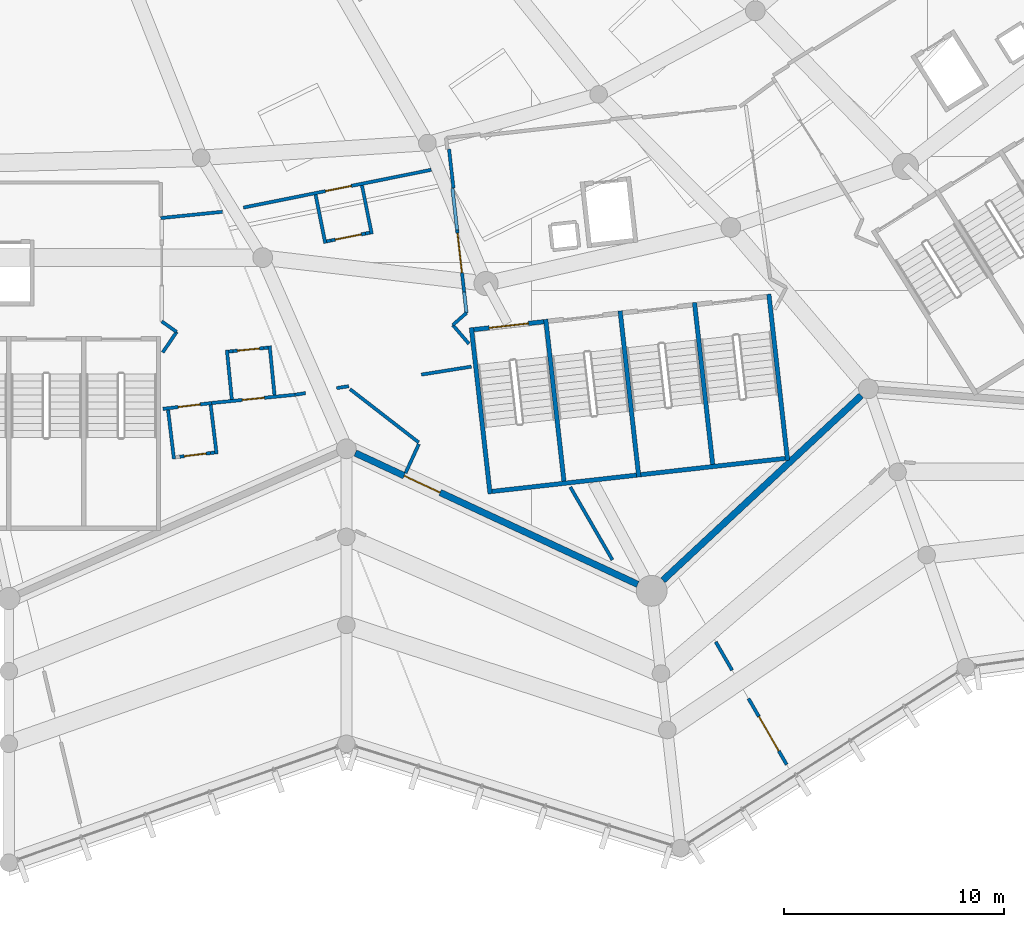
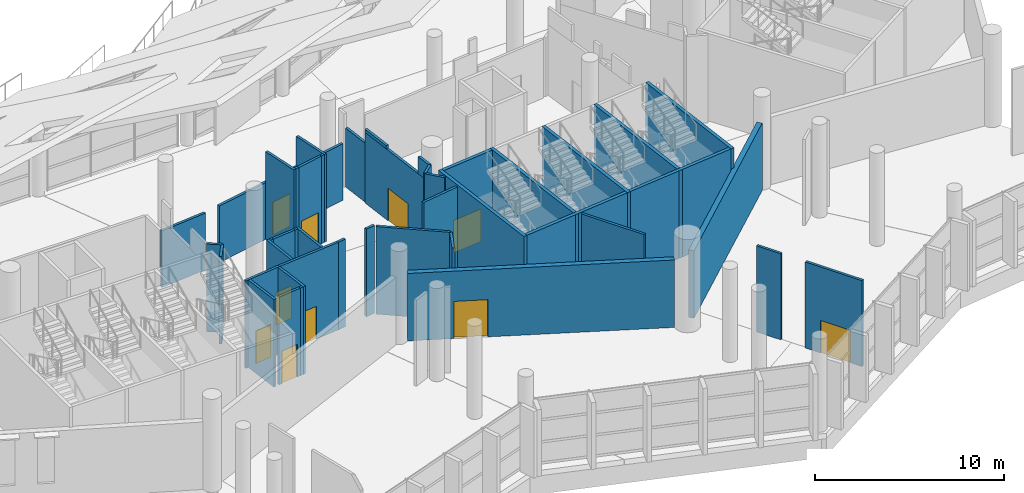
# One storey, part 149 of 249: 44 walls, 10 doors, 10 openings.
"""IFC4 building model written with IfcOpenShell, lengths in metres."""

from ifc_helpers import new_model, si_unit, direction, frame, frame_2d, origin, place, context, subcontext, project, spatial, rectangle, extrude, material, layer, layer_set, type_object, element, fill, save


model = new_model("IFC4")

# Units and contexts
model_context = context("Model", 3, precision=1e-05, world=origin(), true_north=direction((0.0, 1.0)))
body_context = subcontext(model_context, "Body", "Model", "MODEL_VIEW")
ifc_project = project(units=[si_unit("LENGTHUNIT", "METRE"), si_unit("AREAUNIT", "SQUARE_METRE"), si_unit("VOLUMEUNIT", "CUBIC_METRE"), si_unit("PLANEANGLEUNIT", "RADIAN"), si_unit("MASSUNIT", "GRAM", prefix="KILO")], contexts=[model_context])

# Site, building, storey
site_placement = place(None, origin())
site = spatial("IfcSite", under=ifc_project, at=site_placement, CompositionType="ELEMENT")
building_placement = place(site_placement, origin())
building = spatial("IfcBuilding", under=site, at=building_placement, Name="Meseta Stadium", CompositionType="ELEMENT")
storey_placement = place(building_placement, frame((0.0, 0.0, 12.0)))
storey = spatial("IfcBuildingStorey", under=building, at=storey_placement, Name="L02", CompositionType="ELEMENT", Elevation=12.0)

# Walls
ifc_material_1 = material(Name="Concrete C40/50", Category="concrete")
ifc_layer_1 = layer(ifc_material_1, 0.199951171875)
ifc_layer_set_1 = layer_set([ifc_layer_1], Name="Core divider wall 200")
wall_type_1 = type_object("IfcWallType", Name="Core divider wall 200", PredefinedType="SHEAR", material=ifc_layer_set_1)
wall_1_placement = place(storey_placement, frame((48.241943359375, -100.264892578125, 0.0), z_axis=(0.0, 0.0, 1.0), x_axis=(-0.111954577255, 0.993713325176, 0.0)))
element("IfcWall", 1, at=wall_1_placement, inside=storey, type_object=wall_type_1, Name="Core 26 L02 stair A divider wall", PredefinedType="SHEAR", context=body_context, shape_type="SweptSolid", body=[
    extrude(rectangle(XDim=7.599853515625, YDim=0.199951171875, at=frame_2d((3.7998046875, 0.0))), origin(), (0.0, 0.0, 1.0), 5.64990234375),
])
wall_2_placement = place(storey_placement, frame((54.999267578125, -99.503662109375, 0.0), z_axis=(0.0, 0.0, 1.0), x_axis=(-0.111982724367, 0.993710153638, 0.0)))
element("IfcWall", 2, at=wall_2_placement, inside=storey, type_object=wall_type_1, Name="Core 26 L02 stair B divider wall", PredefinedType="SHEAR", context=body_context, shape_type="SweptSolid", body=[
    extrude(rectangle(XDim=7.60009765625, YDim=0.199951171875, at=frame_2d((3.800048828125, 0.0))), origin(), (0.0, 0.0, 1.0), 5.64990234375),
])
ifc_material_2 = material(Name="Concrete C40/50", Category="concrete")
ifc_layer_2 = layer(ifc_material_2, 0.199951171875)
ifc_layer_set_2 = layer_set([ifc_layer_2], Name="Core shaft wall 200")
wall_type_2 = type_object("IfcWallType", Name="Core shaft wall 200", PredefinedType="SHEAR", material=ifc_layer_set_2)
wall_3_placement = place(storey_placement, frame((44.86328125, -100.645751953125, 0.0), z_axis=(0.0, 0.0, 1.0), x_axis=(-0.111951003472, 0.993713727802, 0.0)))
element("IfcWall", 3, at=wall_3_placement, inside=storey, type_object=wall_type_2, Name="Core 26 L02 stair wall A-side", PredefinedType="SHEAR", context=body_context, shape_type="SweptSolid", body=[
    extrude(rectangle(XDim=7.60009765625, YDim=0.199951171875, at=frame_2d((3.800048828125, 0.0))), origin(), (0.0, 0.0, 1.0), 5.64990234375),
])
wall_4_placement = place(storey_placement, frame((51.62060546875, -99.884521484375, 0.0), z_axis=(0.0, 0.0, 1.0), x_axis=(-0.111947429915, 0.993714130389, 0.0)))
element("IfcWall", 4, at=wall_4_placement, inside=storey, type_object=wall_type_2, Name="Core 26 L02 stair wall shared", PredefinedType="SHEAR", context=body_context, shape_type="SweptSolid", body=[
    extrude(rectangle(XDim=7.600341796875, YDim=0.199951171875, at=frame_2d((3.80029296875, 0.0))), origin(), (0.0, 0.0, 1.0), 5.64990234375),
])
wall_5_placement = place(storey_placement, frame((58.3779296875, -99.123046875, 0.0), z_axis=(0.0, 0.0, 1.0), x_axis=(-0.111982724367, 0.993710153638, 0.0)))
element("IfcWall", 5, at=wall_5_placement, inside=storey, type_object=wall_type_2, Name="Core 26 L02 stair wall B-side", PredefinedType="SHEAR", context=body_context, shape_type="SweptSolid", body=[
    extrude(rectangle(XDim=7.60009765625, YDim=0.199951171875, at=frame_2d((3.800048828125, 0.0))), origin(), (0.0, 0.0, 1.0), 5.64990234375),
])
for number, where, z_axis, x_axis, name in (
    (6, (44.951416015625, -100.53515625, 0.0), (0.0, 0.0, 1.0), (0.993711575492, 0.111970106426, 0.0), "Core 26 L02 stair A outer end wall"),
    (7, (51.708740234375, -99.773681640625, 0.0), (0.0, 0.0, 1.0), (0.993715690617, 0.111933579504, 0.0), "Core 26 L02 stair B outer end wall"),
):
    element("IfcWall", number, at=place(storey_placement, frame(where, z_axis=z_axis, x_axis=x_axis)), inside=storey, type_object=wall_type_2, Name=name, PredefinedType="SHEAR", context=body_context, shape_type="SweptSolid", body=[
        extrude(rectangle(XDim=6.60009765625, YDim=0.199951171875, at=frame_2d((3.300048828125, 0.0))), origin(), (0.0, 0.0, 1.0), 5.64990234375),
    ])

# Wall, opening, door
wall_6_placement = place(storey_placement, frame((44.123046875, -93.181640625, 0.0), z_axis=(0.0, 0.0, 1.0), x_axis=(0.993717005286, 0.11192190762, 0.0)))
wall_6 = element("IfcWall", 8, at=wall_6_placement, inside=storey, type_object=wall_type_2, Name="Core 26 L02 stair A1 inner end wall", PredefinedType="SHEAR", context=body_context, shape_type="SweptSolid", body=[
    extrude(rectangle(XDim=3.199951171875, YDim=0.199951171875, at=frame_2d((1.60009765625, 0.0))), origin(), (0.0, 0.0, 1.0), 5.64990234375),
])
opening_1_placement = place(wall_6_placement, frame((0.699951171875, 0.0, 0.0)))
opening_1 = element("IfcOpeningElement", 9, at=opening_1_placement, cuts=wall_6, Name="Opening D1151", PredefinedType="OPENING", context=body_context, shape_type="SweptSolid", body=[
    extrude(rectangle(XDim=1.800048828125, YDim=2.10009765625, at=frame_2d((0.89990234375, 1.050048828125))), frame((0.0, 0.10986328125, 0.0), z_axis=(0.0, -1.0, 0.0), x_axis=(1.0, 0.0, 0.0)), (0.0, 0.0, 1.0), 0.219970703125),
])
ifc_material_3 = material(Name="Steel", Category="steel")
door_type_1 = type_object("IfcDoorType", Name="Stair door 1800x2100", OperationType="DOUBLE_DOOR_SINGLE_SWING", PredefinedType="DOOR", material=ifc_material_3)
door_1_placement = place(opening_1_placement, origin())
door_1 = element("IfcDoor", 10, at=door_1_placement, inside=storey, type_object=door_type_1, Name="Stair A1 door 26 L02", OperationType="DOUBLE_DOOR_SINGLE_SWING", OverallHeight=2.10009765625, OverallWidth=1.800048828125, PredefinedType="DOOR", context=body_context, shape_type="SweptSolid", body=[
    extrude(rectangle(XDim=1.800048828125, YDim=2.10009765625, at=frame_2d((0.89990234375, 1.050048828125))), frame((0.0, 0.02490234375, 0.0), z_axis=(0.0, -1.0, 0.0), x_axis=(1.0, 0.0, 0.0)), (0.0, 0.0, 1.0), 0.050048828125),
])
fill(opening_1, door_1)

ifc_material_4 = material(Name="Masonry blockwork", Category="masonry")
ifc_layer_3 = layer(ifc_material_4, 0.14990234375)
ifc_layer_set_3 = layer_set([ifc_layer_3], Name="Partition 150")
wall_type_3 = type_object("IfcWallType", Name="Partition 150", PredefinedType="PARTITIONING", material=ifc_layer_set_3)
wall_7_placement = place(storey_placement, frame((42.189208984375, -85.923095703125, 0.0), z_axis=(0.0, 0.0, 1.0), x_axis=(-0.980362096197, -0.197205883129, 0.0)))
wall_7 = element("IfcWall", 11, at=wall_7_placement, inside=storey, type_object=wall_type_3, Name="Partition L02 L02-cell24-0-0", PredefinedType="PARTITIONING", context=body_context, shape_type="SweptSolid", body=[
    extrude(rectangle(XDim=8.701904296875, YDim=0.14990234375, at=frame_2d((4.35107421875, 0.0))), origin(), (0.0, 0.0, 1.0), 3.655029296875),
])
opening_2_placement = place(wall_7_placement, frame((3.699951171875, 0.0, 0.0)))
opening_2 = element("IfcOpeningElement", 12, at=opening_2_placement, cuts=wall_7, Name="Opening D1143", PredefinedType="OPENING", context=body_context, shape_type="SweptSolid", body=[
    extrude(rectangle(XDim=1.199951171875, YDim=2.10009765625, at=frame_2d((0.60009765625, 1.050048828125))), frame((0.0, 0.0849609375, 0.0), z_axis=(0.0, -1.0, 0.0), x_axis=(1.0, 0.0, 0.0)), (0.0, 0.0, 1.0), 0.169921875),
])
ifc_material_5 = material(Name="Steel", Category="steel")
door_type_2 = type_object("IfcDoorType", Name="Fire door 1200x2100 EI2 60", OperationType="NOTDEFINED", PredefinedType="DOOR", material=ifc_material_5)
door_2_placement = place(opening_2_placement, origin())
door_2 = element("IfcDoor", 13, at=door_2_placement, inside=storey, type_object=door_type_2, Name="Room door L02 L02-cell24-0-0", OperationType="SINGLE_SWING_LEFT", OverallHeight=2.10009765625, OverallWidth=1.199951171875, PredefinedType="DOOR", context=body_context, shape_type="SweptSolid", body=[
    extrude(rectangle(XDim=1.199951171875, YDim=2.10009765625, at=frame_2d((0.60009765625, 1.050048828125))), frame((0.0, 0.02490234375, 0.0), z_axis=(0.0, -1.0, 0.0), x_axis=(1.0, 0.0, 0.0)), (0.0, 0.0, 1.0), 0.050048828125),
])
fill(opening_2, door_2)

# Wall
wall_8_placement = place(storey_placement, frame((32.710205078125, -87.82958984375, 0.0), z_axis=(0.0, 0.0, 1.0), x_axis=(-0.994882835279, -0.101035360476, 0.0)))
element("IfcWall", 14, at=wall_8_placement, inside=storey, type_object=wall_type_3, Name="Partition L02 L02-cell24-0-0", PredefinedType="PARTITIONING", context=body_context, shape_type="SweptSolid", body=[
    extrude(rectangle(XDim=2.82470703125, YDim=0.14990234375, at=frame_2d((1.412353515625, 0.0))), origin(), (0.0, 0.0, 1.0), 3.655029296875),
])

# Wall, opening, door
wall_9_placement = place(storey_placement, frame((30.0, -96.783447265625, 0.0), z_axis=(0.0, 0.0, 1.0), x_axis=(0.992839520799, 0.119455790735, 0.0)))
wall_9 = element("IfcWall", 15, at=wall_9_placement, inside=storey, type_object=wall_type_3, Name="Partition L02 L02-cell24-2-0", PredefinedType="PARTITIONING", context=body_context, shape_type="SweptSolid", body=[
    extrude(rectangle(XDim=2.231689453125, YDim=0.14990234375, at=frame_2d((1.11572265625, 0.0))), origin(), (0.0, 0.0, 1.0), 5.64990234375),
])
opening_3_placement = place(wall_9_placement, frame((0.699951171875, 0.0, 0.0)))
opening_3 = element("IfcOpeningElement", 16, at=opening_3_placement, cuts=wall_9, Name="Opening D1136", PredefinedType="OPENING", context=body_context, shape_type="SweptSolid", body=[
    extrude(rectangle(XDim=1.0, YDim=2.10009765625, at=frame_2d((0.5, 1.050048828125))), frame((0.0, 0.0849609375, 0.0), z_axis=(0.0, -1.0, 0.0), x_axis=(1.0, 0.0, 0.0)), (0.0, 0.0, 1.0), 0.169921875),
])
ifc_material_6 = material(Name="Steel", Category="steel")
door_type_3 = type_object("IfcDoorType", Name="Fire door 1000x2100 EI2 60", OperationType="NOTDEFINED", PredefinedType="DOOR", material=ifc_material_6)
door_3_placement = place(opening_3_placement, origin())
door_3 = element("IfcDoor", 17, at=door_3_placement, inside=storey, type_object=door_type_3, Name="Room door L02 L02-cell24-2-0", OperationType="SINGLE_SWING_RIGHT", OverallHeight=2.10009765625, OverallWidth=1.0, PredefinedType="DOOR", context=body_context, shape_type="SweptSolid", body=[
    extrude(rectangle(XDim=1.0, YDim=2.10009765625, at=frame_2d((0.5, 1.050048828125))), frame((0.0, 0.02490234375, 0.0), z_axis=(0.0, -1.0, 0.0), x_axis=(1.0, 0.0, 0.0)), (0.0, 0.0, 1.0), 0.050048828125),
])
fill(opening_3, door_3)

wall_10_placement = place(storey_placement, frame((32.2158203125, -96.516845703125, 0.0), z_axis=(0.0, 0.0, 1.0), x_axis=(0.995135010831, 0.098520608089, 0.0)))
wall_10 = element("IfcWall", 18, at=wall_10_placement, inside=storey, type_object=wall_type_3, Name="Partition L02 L02-cell24-2-0", PredefinedType="PARTITIONING", context=body_context, shape_type="SweptSolid", body=[
    extrude(rectangle(XDim=3.811279296875, YDim=0.14990234375, at=frame_2d((1.90576171875, 0.0))), origin(), (0.0, 0.0, 1.0), 5.64990234375),
])
opening_4_placement = place(wall_10_placement, frame((1.39990234375, 0.0, 0.0)))
opening_4 = element("IfcOpeningElement", 19, at=opening_4_placement, cuts=wall_10, Name="Opening D1141", PredefinedType="OPENING", context=body_context, shape_type="SweptSolid", body=[
    extrude(rectangle(XDim=1.0, YDim=2.10009765625, at=frame_2d((0.5, 1.050048828125))), frame((0.0, 0.0849609375, 0.0), z_axis=(0.0, -1.0, 0.0), x_axis=(1.0, 0.0, 0.0)), (0.0, 0.0, 1.0), 0.169921875),
])
door_4_placement = place(opening_4_placement, origin())
door_4 = element("IfcDoor", 20, at=door_4_placement, inside=storey, type_object=door_type_3, Name="Room door L02 L02-cell24-2-0", OperationType="SINGLE_SWING_RIGHT", OverallHeight=2.10009765625, OverallWidth=1.0, PredefinedType="DOOR", context=body_context, shape_type="SweptSolid", body=[
    extrude(rectangle(XDim=1.0, YDim=2.10009765625, at=frame_2d((0.5, 1.050048828125))), frame((0.0, 0.02490234375, 0.0), z_axis=(0.0, -1.0, 0.0), x_axis=(1.0, 0.0, 0.0)), (0.0, 0.0, 1.0), 0.050048828125),
])
fill(opening_4, door_4)

# Walls
wall_11_placement = place(storey_placement, frame((36.008544921875, -96.141357421875, 0.0), z_axis=(0.0, 0.0, 1.0), x_axis=(0.987478956235, 0.157750787614, 0.0)))
element("IfcWall", 21, at=wall_11_placement, inside=storey, type_object=wall_type_3, Name="Partition L02 L02-cell24-2-0", PredefinedType="PARTITIONING", context=body_context, shape_type="SweptSolid", body=[
    extrude(rectangle(XDim=0.4765625, YDim=0.14990234375, at=frame_2d((0.23828125, 0.0))), origin(), (0.0, 0.0, 1.0), 5.64990234375),
])
wall_12_placement = place(storey_placement, frame((37.891357421875, -95.841064453125, 0.0), z_axis=(0.0, 0.0, 1.0), x_axis=(0.987546472481, 0.1573275713, 0.0)))
element("IfcWall", 22, at=wall_12_placement, inside=storey, type_object=wall_type_3, Name="Partition L02 L02-cell24-2-0", PredefinedType="PARTITIONING", context=body_context, shape_type="SweptSolid", body=[
    extrude(rectangle(XDim=0.560302734375, YDim=0.14990234375, at=frame_2d((0.2802734375, 0.0))), origin(), (0.0, 0.0, 1.0), 5.64990234375),
])
wall_13_placement = place(storey_placement, frame((48.508056640625, -100.335693359375, 0.0), z_axis=(0.0, 0.0, 1.0), x_axis=(0.500439359674, -0.865771590715, 0.0)))
element("IfcWall", 23, at=wall_13_placement, inside=storey, type_object=wall_type_3, Name="Partition L02 L02-cell24-2-0", PredefinedType="PARTITIONING", context=body_context, shape_type="SweptSolid", body=[
    extrude(rectangle(XDim=3.82177734375, YDim=0.14990234375, at=frame_2d((1.910888671875, 0.0))), origin(), (0.0, 0.0, 1.0), 5.64990234375),
])
wall_14_placement = place(storey_placement, frame((42.998291015625, -84.985595703125, 0.0), z_axis=(0.0, 0.0, 1.0), x_axis=(0.111954160668, -0.993713372109, 0.0)))
element("IfcWall", 24, at=wall_14_placement, inside=storey, type_object=wall_type_3, Name="Partition L02 L02-cell25-0-0", PredefinedType="PARTITIONING", context=body_context, shape_type="SweptSolid", body=[
    extrude(rectangle(XDim=1.77734375, YDim=0.14990234375, at=frame_2d((0.888671875, 0.0))), origin(), (0.0, 0.0, 1.0), 3.800537109375),
])
wall_15_placement = place(storey_placement, frame((55.115478515625, -107.370849609375, 0.0), z_axis=(0.0, 0.0, 1.0), x_axis=(0.500504874148, -0.865733718272, 0.0)))
element("IfcWall", 25, at=wall_15_placement, inside=storey, type_object=wall_type_3, Name="Partition L02 L02-ring24-0", PredefinedType="PARTITIONING", context=body_context, shape_type="SweptSolid", body=[
    extrude(rectangle(XDim=1.4853515625, YDim=0.14990234375, at=frame_2d((0.74267578125, 0.0))), origin(), (0.0, 0.0, 1.0), 5.550048828125),
])

# Wall, opening, door
wall_16_placement = place(storey_placement, frame((56.602294921875, -109.942626953125, 0.0), z_axis=(0.0, 0.0, 1.0), x_axis=(0.500389094417, -0.865800643444, 0.0)))
wall_16 = element("IfcWall", 26, at=wall_16_placement, inside=storey, type_object=wall_type_3, Name="Partition L02 L02-ring24-0", PredefinedType="PARTITIONING", context=body_context, shape_type="SweptSolid", body=[
    extrude(rectangle(XDim=3.465576171875, YDim=0.14990234375, at=frame_2d((1.73291015625, 0.0))), origin(), (0.0, 0.0, 1.0), 5.550048828125),
])
opening_5_placement = place(wall_16_placement, frame((0.949951171875, 0.0, 0.0)))
opening_5 = element("IfcOpeningElement", 27, at=opening_5_placement, cuts=wall_16, Name="Opening D1167", PredefinedType="OPENING", context=body_context, shape_type="SweptSolid", body=[
    extrude(rectangle(XDim=1.800048828125, YDim=2.10009765625, at=frame_2d((0.89990234375, 1.050048828125))), frame((0.0, 0.0849609375, 0.0), z_axis=(0.0, -1.0, 0.0), x_axis=(1.0, 0.0, 0.0)), (0.0, 0.0, 1.0), 0.169921875),
])
ifc_material_7 = material(Name="Steel", Category="steel")
door_type_4 = type_object("IfcDoorType", Name="Fire double door 1800x2100 EI2 60", OperationType="DOUBLE_DOOR_SINGLE_SWING", PredefinedType="DOOR", material=ifc_material_7)
door_5_placement = place(opening_5_placement, origin())
door_5 = element("IfcDoor", 28, at=door_5_placement, inside=storey, type_object=door_type_4, Name="Room door L02 L02-ring24-0", OperationType="DOUBLE_DOOR_SINGLE_SWING", OverallHeight=2.10009765625, OverallWidth=1.800048828125, PredefinedType="DOOR", context=body_context, shape_type="SweptSolid", body=[
    extrude(rectangle(XDim=1.800048828125, YDim=2.10009765625, at=frame_2d((0.89990234375, 1.050048828125))), frame((0.0, 0.02490234375, 0.0), z_axis=(0.0, -1.0, 0.0), x_axis=(1.0, 0.0, 0.0)), (0.0, 0.0, 1.0), 0.050048828125),
])
fill(opening_5, door_5)

# Walls
wall_17_placement = place(storey_placement, frame((38.497802734375, -95.88623046875, 0.0), z_axis=(0.0, 0.0, 1.0), x_axis=(0.790219801195, -0.612823519294, 0.0)))
element("IfcWall", 29, at=wall_17_placement, inside=storey, type_object=wall_type_3, Name="Partition L02 cell24-2-0 link", PredefinedType="PARTITIONING", context=body_context, shape_type="SweptSolid", body=[
    extrude(rectangle(XDim=3.951171875, YDim=0.14990234375, at=frame_2d((1.9755859375, 0.0))), origin(), (0.0, 0.0, 1.0), 5.64990234375),
])
wall_18_placement = place(storey_placement, frame((41.627197265625, -98.3828125, 0.0), z_axis=(0.0, 0.0, 1.0), x_axis=(-0.418008717052, -0.908443015532, 0.0)))
element("IfcWall", 30, at=wall_18_placement, inside=storey, type_object=wall_type_3, Name="Partition L02 cell24-2-0 link", PredefinedType="PARTITIONING", context=body_context, shape_type="SweptSolid", body=[
    extrude(rectangle(XDim=1.446044921875, YDim=0.14990234375, at=frame_2d((0.72314453125, 0.0))), origin(), (0.0, 0.0, 1.0), 5.64990234375),
])
wall_19_placement = place(storey_placement, frame((41.739013671875, -95.2275390625, 0.0), z_axis=(0.0, 0.0, 1.0), x_axis=(0.987519978733, 0.157493782745, 0.0)))
element("IfcWall", 31, at=wall_19_placement, inside=storey, type_object=wall_type_3, Name="Partition L02 L02-cell24-2-0.1", PredefinedType="PARTITIONING", context=body_context, shape_type="SweptSolid", body=[
    extrude(rectangle(XDim=2.300537109375, YDim=0.14990234375, at=frame_2d((1.150390625, 0.0))), origin(), (0.0, 0.0, 1.0), 5.64990234375),
])
wall_20_placement = place(storey_placement, frame((29.989501953125, -94.2197265625, 0.0), z_axis=(0.0, 0.0, 1.0), x_axis=(0.562570599462, 0.826749248939, 0.0)))
element("IfcWall", 32, at=wall_20_placement, inside=storey, type_object=wall_type_3, Name="Stair vestibule wall L02 core 25", PredefinedType="PARTITIONING", context=body_context, shape_type="SweptSolid", body=[
    extrude(rectangle(XDim=1.12744140625, YDim=0.14990234375, at=frame_2d((0.563720703125, 0.0))), origin(), (0.0, 0.0, 1.0), 5.64990234375),
])
wall_21_placement = place(storey_placement, frame((30.623779296875, -93.28759765625, 0.0), z_axis=(0.0, 0.0, 1.0), x_axis=(-0.817334487726, 0.5761634622, 0.0)))
element("IfcWall", 33, at=wall_21_placement, inside=storey, type_object=wall_type_3, Name="Stair vestibule wall L02 core 25", PredefinedType="PARTITIONING", context=body_context, shape_type="SweptSolid", body=[
    extrude(rectangle(XDim=0.830078125, YDim=0.14990234375, at=frame_2d((0.4150390625, 0.0))), origin(), (0.0, 0.0, 1.0), 5.64990234375),
])

# Wall, opening, door
wall_22_placement = place(storey_placement, frame((43.153564453125, -86.7666015625, 0.0), z_axis=(0.0, 0.0, 1.0), x_axis=(0.111980060209, -0.993710453863, 0.0)))
wall_22 = element("IfcWall", 34, at=wall_22_placement, inside=storey, type_object=wall_type_3, Name="Stair vestibule wall L02 core 26", PredefinedType="PARTITIONING", context=body_context, shape_type="SweptSolid", body=[
    extrude(rectangle(XDim=5.692626953125, YDim=0.14990234375, at=frame_2d((2.84619140625, 0.0))), origin(), (0.0, 0.0, 1.0), 4.550048828125),
])
opening_6_placement = place(wall_22_placement, frame((2.050048828125, 0.0, 0.0)))
opening_6 = element("IfcOpeningElement", 35, at=opening_6_placement, cuts=wall_22, Name="Opening D1149", PredefinedType="OPENING", context=body_context, shape_type="SweptSolid", body=[
    extrude(rectangle(XDim=1.800048828125, YDim=2.10009765625, at=frame_2d((0.89990234375, 1.050048828125))), frame((0.0, 0.0849609375, 0.0), z_axis=(0.0, -1.0, 0.0), x_axis=(1.0, 0.0, 0.0)), (0.0, 0.0, 1.0), 0.169921875),
])
door_6_placement = place(opening_6_placement, origin())
door_6 = element("IfcDoor", 36, at=door_6_placement, inside=storey, type_object=door_type_4, Name="Stair vestibule door L02 core 26", OperationType="DOUBLE_DOOR_SINGLE_SWING", OverallHeight=2.10009765625, OverallWidth=1.800048828125, PredefinedType="DOOR", context=body_context, shape_type="SweptSolid", body=[
    extrude(rectangle(XDim=1.800048828125, YDim=2.10009765625, at=frame_2d((0.89990234375, 1.050048828125))), frame((0.0, 0.02490234375, 0.0), z_axis=(0.0, -1.0, 0.0), x_axis=(1.0, 0.0, 0.0)), (0.0, 0.0, 1.0), 0.050048828125),
])
fill(opening_6, door_6)

# Walls
wall_23_placement = place(storey_placement, frame((43.153564453125, -86.7666015625, 4.550048828125), z_axis=(0.0, 0.0, 1.0), x_axis=(0.11205520804, -0.993701982664, 0.0)))
element("IfcWall", 37, at=wall_23_placement, inside=storey, type_object=wall_type_3, Name="Stair vestibule wall L02 core 26", PredefinedType="PARTITIONING", context=body_context, shape_type="SweptSolid", body=[
    extrude(rectangle(XDim=1.897705078125, YDim=0.14990234375, at=frame_2d((0.94873046875, 0.0))), origin(), (0.0, 0.0, 1.0), 0.199951171875),
])
wall_24_placement = place(storey_placement, frame((43.684814453125, -91.480712890625, 4.550048828125), z_axis=(0.0, 0.0, 1.0), x_axis=(0.11195679558, -0.99371307525, 0.0)))
element("IfcWall", 38, at=wall_24_placement, inside=storey, type_object=wall_type_3, Name="Stair vestibule wall L02 core 26", PredefinedType="PARTITIONING", context=body_context, shape_type="SweptSolid", body=[
    extrude(rectangle(XDim=0.948486328125, YDim=0.14990234375, at=frame_2d((0.47412109375, 0.0))), origin(), (0.0, 0.0, 1.0), 1.099853515625),
])
wall_25_placement = place(storey_placement, frame((43.791015625, -92.42333984375, 0.0), z_axis=(0.0, 0.0, 1.0), x_axis=(-0.748350259109, -0.66330376879, 0.0)))
element("IfcWall", 39, at=wall_25_placement, inside=storey, type_object=wall_type_3, Name="Stair vestibule wall L02 core 26", PredefinedType="PARTITIONING", context=body_context, shape_type="SweptSolid", body=[
    extrude(rectangle(XDim=0.82958984375, YDim=0.14990234375, at=frame_2d((0.414794921875, 0.0))), origin(), (0.0, 0.0, 1.0), 5.64990234375),
])
wall_26_placement = place(storey_placement, frame((43.170166015625, -92.9736328125, 0.0), z_axis=(0.0, 0.0, 1.0), x_axis=(0.651040876816, -0.759042671208, 0.0)))
element("IfcWall", 40, at=wall_26_placement, inside=storey, type_object=wall_type_3, Name="Stair vestibule wall L02 core 26", PredefinedType="PARTITIONING", context=body_context, shape_type="SweptSolid", body=[
    extrude(rectangle(XDim=1.1279296875, YDim=0.14990234375, at=frame_2d((0.56396484375, 0.0))), origin(), (0.0, 0.0, 1.0), 5.64990234375),
])
for number, where, z_axis, x_axis, name in (
    (41, (39.042236328125, -86.632568359375, 0.0), (0.0, 0.0, 1.0), (0.197159372057, -0.980371451038, 0.0), "Partition L02 L02-cell24-0-0 vestibule"),
    (42, (36.934326171875, -87.056396484375, 0.0), (0.0, 0.0, 1.0), (0.197263658984, -0.980350472456, 0.0), "Partition L02 L02-cell24-0-0 vestibule"),
):
    element("IfcWall", number, at=place(storey_placement, frame(where, z_axis=z_axis, x_axis=x_axis)), inside=storey, type_object=wall_type_3, Name=name, PredefinedType="PARTITIONING", context=body_context, shape_type="SweptSolid", body=[
        extrude(rectangle(XDim=2.25, YDim=0.14990234375, at=frame_2d((1.125, 0.0))), origin(), (0.0, 0.0, 1.0), 5.64990234375),
    ])
wall_27_placement = place(storey_placement, frame((39.397705078125, -88.779541015625, 0.0), z_axis=(0.0, 0.0, 1.0), x_axis=(-0.980250639168, -0.197759157591, 0.0)))
element("IfcWall", 43, at=wall_27_placement, inside=storey, type_object=wall_type_3, Name="Partition L02 L02-cell24-0-0 vestibule", PredefinedType="PARTITIONING", context=body_context, shape_type="SweptSolid", body=[
    extrude(rectangle(XDim=0.199951171875, YDim=0.14990234375, at=frame_2d((0.10009765625, 0.0))), origin(), (0.0, 0.0, 1.0), 5.64990234375),
])

# Wall, opening, door
wall_28_placement = place(storey_placement, frame((39.20166015625, -88.819091796875, 0.0), z_axis=(0.0, 0.0, 1.0), x_axis=(-0.98037473159, -0.197143058866, 0.0)))
wall_28 = element("IfcWall", 44, at=wall_28_placement, inside=storey, type_object=wall_type_3, Name="Partition L02 L02-cell24-0-0 vestibule", PredefinedType="PARTITIONING", context=body_context, shape_type="SweptSolid", body=[
    extrude(rectangle(XDim=1.60009765625, YDim=0.14990234375, at=frame_2d((0.800048828125, 0.0))), origin(), (0.0, 0.0, 1.0), 5.64990234375),
])
opening_7_placement = place(wall_28_placement, frame((0.199951171875, 0.0, 0.0)))
opening_7 = element("IfcOpeningElement", 45, at=opening_7_placement, cuts=wall_28, Name="Opening D1144", PredefinedType="OPENING", context=body_context, shape_type="SweptSolid", body=[
    extrude(rectangle(XDim=1.199951171875, YDim=2.10009765625, at=frame_2d((0.60009765625, 1.050048828125))), frame((0.0, 0.0849609375, 0.0), z_axis=(0.0, -1.0, 0.0), x_axis=(1.0, 0.0, 0.0)), (0.0, 0.0, 1.0), 0.169921875),
])
door_7_placement = place(opening_7_placement, origin())
door_7 = element("IfcDoor", 46, at=door_7_placement, inside=storey, type_object=door_type_2, Name="Vestibule door L02 L02-cell24-0-0", OperationType="SINGLE_SWING_RIGHT", OverallHeight=2.10009765625, OverallWidth=1.199951171875, PredefinedType="DOOR", context=body_context, shape_type="SweptSolid", body=[
    extrude(rectangle(XDim=1.199951171875, YDim=2.10009765625, at=frame_2d((0.60009765625, 1.050048828125))), frame((0.0, 0.02490234375, 0.0), z_axis=(0.0, -1.0, 0.0), x_axis=(1.0, 0.0, 0.0)), (0.0, 0.0, 1.0), 0.050048828125),
])
fill(opening_7, door_7)

# Walls
wall_29_placement = place(storey_placement, frame((37.633056640625, -89.134521484375, 0.0), z_axis=(0.0, 0.0, 1.0), x_axis=(-0.980250639168, -0.197759157591, 0.0)))
element("IfcWall", 47, at=wall_29_placement, inside=storey, type_object=wall_type_3, Name="Partition L02 L02-cell24-0-0 vestibule", PredefinedType="PARTITIONING", context=body_context, shape_type="SweptSolid", body=[
    extrude(rectangle(XDim=0.199951171875, YDim=0.14990234375, at=frame_2d((0.10009765625, 0.0))), origin(), (0.0, 0.0, 1.0), 5.64990234375),
])
for number, where, z_axis, x_axis, name in (
    (48, (33.12890625, -96.35107421875, 0.0), (0.0, 0.0, 1.0), (-0.098526017182, 0.995134475304, 0.0), "Partition L02 L02-cell24-2-0 vestibule"),
    (49, (35.069580078125, -96.158935546875, 0.0), (0.0, 0.0, 1.0), (-0.098526017182, 0.995134475304, 0.0), "Partition L02 L02-cell24-2-0 vestibule"),
):
    element("IfcWall", number, at=place(storey_placement, frame(where, z_axis=z_axis, x_axis=x_axis)), inside=storey, type_object=wall_type_3, Name=name, PredefinedType="PARTITIONING", context=body_context, shape_type="SweptSolid", body=[
        extrude(rectangle(XDim=2.25, YDim=0.14990234375, at=frame_2d((1.125, 0.0))), origin(), (0.0, 0.0, 1.0), 5.64990234375),
    ])
wall_30_placement = place(storey_placement, frame((32.9892578125, -94.17919921875, 0.0), z_axis=(0.0, 0.0, 1.0), x_axis=(0.995216892722, 0.09769000174, 0.0)))
element("IfcWall", 50, at=wall_30_placement, inside=storey, type_object=wall_type_3, Name="Partition L02 L02-cell24-2-0 vestibule", PredefinedType="PARTITIONING", context=body_context, shape_type="SweptSolid", body=[
    extrude(rectangle(XDim=0.199951171875, YDim=0.14990234375, at=frame_2d((0.10009765625, 0.0))), origin(), (0.0, 0.0, 1.0), 5.64990234375),
])

# Wall, opening, door
wall_31_placement = place(storey_placement, frame((33.188232421875, -94.15966796875, 0.0), z_axis=(0.0, 0.0, 1.0), x_axis=(0.995118000901, 0.098692270634, 0.0)))
wall_31 = element("IfcWall", 51, at=wall_31_placement, inside=storey, type_object=wall_type_3, Name="Partition L02 L02-cell24-2-0 vestibule", PredefinedType="PARTITIONING", context=body_context, shape_type="SweptSolid", body=[
    extrude(rectangle(XDim=1.400146484375, YDim=0.14990234375, at=frame_2d((0.7001953125, 0.0))), origin(), (0.0, 0.0, 1.0), 5.64990234375),
])
opening_8_placement = place(wall_31_placement, frame((0.199951171875, 0.0, 0.0)))
opening_8 = element("IfcOpeningElement", 52, at=opening_8_placement, cuts=wall_31, Name="Opening D1140", PredefinedType="OPENING", context=body_context, shape_type="SweptSolid", body=[
    extrude(rectangle(XDim=1.0, YDim=2.10009765625, at=frame_2d((0.5, 1.050048828125))), frame((0.0, 0.0849609375, 0.0), z_axis=(0.0, -1.0, 0.0), x_axis=(1.0, 0.0, 0.0)), (0.0, 0.0, 1.0), 0.169921875),
])
door_8_placement = place(opening_8_placement, origin())
door_8 = element("IfcDoor", 53, at=door_8_placement, inside=storey, type_object=door_type_3, Name="Vestibule door L02 L02-cell24-2-0", OperationType="SINGLE_SWING_RIGHT", OverallHeight=2.10009765625, OverallWidth=1.0, PredefinedType="DOOR", context=body_context, shape_type="SweptSolid", body=[
    extrude(rectangle(XDim=1.0, YDim=2.10009765625, at=frame_2d((0.5, 1.050048828125))), frame((0.0, 0.02490234375, 0.0), z_axis=(0.0, -1.0, 0.0), x_axis=(1.0, 0.0, 0.0)), (0.0, 0.0, 1.0), 0.050048828125),
])
fill(opening_8, door_8)

# Walls
wall_32_placement = place(storey_placement, frame((34.58154296875, -94.021484375, 0.0), z_axis=(0.0, 0.0, 1.0), x_axis=(0.995216892722, 0.09769000174, 0.0)))
element("IfcWall", 54, at=wall_32_placement, inside=storey, type_object=wall_type_3, Name="Partition L02 L02-cell24-2-0 vestibule", PredefinedType="PARTITIONING", context=body_context, shape_type="SweptSolid", body=[
    extrude(rectangle(XDim=0.199951171875, YDim=0.14990234375, at=frame_2d((0.10009765625, 0.0))), origin(), (0.0, 0.0, 1.0), 5.64990234375),
])
for number, where, z_axis, x_axis, name in (
    (55, (30.232421875, -96.8310546875, 0.0), (0.0, 0.0, 1.0), (0.119359153818, -0.992851143123, 0.0), "Partition L02 L02-cell24-2-0 vestibule"),
    (56, (32.16845703125, -96.59814453125, 0.0), (0.0, 0.0, 1.0), (0.119359153818, -0.992851143123, 0.0), "Partition L02 L02-cell24-2-0 vestibule"),
):
    element("IfcWall", number, at=place(storey_placement, frame(where, z_axis=z_axis, x_axis=x_axis)), inside=storey, type_object=wall_type_3, Name=name, PredefinedType="PARTITIONING", context=body_context, shape_type="SweptSolid", body=[
        extrude(rectangle(XDim=2.25, YDim=0.14990234375, at=frame_2d((1.125, 0.0))), origin(), (0.0, 0.0, 1.0), 5.64990234375),
    ])

# Wall, opening, door
wall_33_placement = place(storey_placement, frame((30.76513671875, -98.95751953125, 0.0), z_axis=(0.0, 0.0, 1.0), x_axis=(0.99283882799, 0.119461548774, 0.0)))
wall_33 = element("IfcWall", 57, at=wall_33_placement, inside=storey, type_object=wall_type_3, Name="Partition L02 L02-cell24-2-0 vestibule", PredefinedType="PARTITIONING", context=body_context, shape_type="SweptSolid", body=[
    extrude(rectangle(XDim=1.39990234375, YDim=0.14990234375, at=frame_2d((0.699951171875, 0.0))), origin(), (0.0, 0.0, 1.0), 5.64990234375),
])
opening_9_placement = place(wall_33_placement, frame((0.199951171875, 0.0, 0.0)))
opening_9 = element("IfcOpeningElement", 58, at=opening_9_placement, cuts=wall_33, Name="Opening D1138", PredefinedType="OPENING", context=body_context, shape_type="SweptSolid", body=[
    extrude(rectangle(XDim=1.0, YDim=2.10009765625, at=frame_2d((0.5, 1.050048828125))), frame((0.0, 0.0849609375, 0.0), z_axis=(0.0, -1.0, 0.0), x_axis=(1.0, 0.0, 0.0)), (0.0, 0.0, 1.0), 0.169921875),
])
door_9_placement = place(opening_9_placement, origin())
door_9 = element("IfcDoor", 59, at=door_9_placement, inside=storey, type_object=door_type_3, Name="Vestibule door L02 L02-cell24-2-0", OperationType="SINGLE_SWING_RIGHT", OverallHeight=2.10009765625, OverallWidth=1.0, PredefinedType="DOOR", context=body_context, shape_type="SweptSolid", body=[
    extrude(rectangle(XDim=1.0, YDim=2.10009765625, at=frame_2d((0.5, 1.050048828125))), frame((0.0, 0.02490234375, 0.0), z_axis=(0.0, -1.0, 0.0), x_axis=(1.0, 0.0, 0.0)), (0.0, 0.0, 1.0), 0.050048828125),
])
fill(opening_9, door_9)

# Wall
wall_34_placement = place(storey_placement, frame((32.155029296875, -98.790283203125, 0.0), z_axis=(0.0, 0.0, 1.0), x_axis=(0.992957519171, 0.118470946322, 0.0)))
element("IfcWall", 60, at=wall_34_placement, inside=storey, type_object=wall_type_3, Name="Partition L02 L02-cell24-2-0 vestibule", PredefinedType="PARTITIONING", context=body_context, shape_type="SweptSolid", body=[
    extrude(rectangle(XDim=0.199951171875, YDim=0.14990234375, at=frame_2d((0.10009765625, 0.0))), origin(), (0.0, 0.0, 1.0), 5.64990234375),
])

# Wall, opening, door
ifc_material_8 = material(Name="White precast concrete C40/50", Category="concrete")
ifc_layer_4 = layer(ifc_material_8, 0.300048828125)
ifc_layer_set_4 = layer_set([ifc_layer_4], Name="Pleated panel wall 300 concourse")
wall_type_4 = type_object("IfcWallType", Name="Pleated panel wall 300 concourse", PredefinedType="SOLIDWALL", material=ifc_layer_set_4)
wall_35_placement = place(storey_placement, frame((51.56884765625, -104.7568359375, 0.0), z_axis=(0.0, 0.0, 1.0), x_axis=(-0.906698705786, 0.421778919491, 0.0)))
wall_35 = element("IfcWall", 61, at=wall_35_placement, inside=storey, type_object=wall_type_4, Name="Pleated facade panel L02 F49", PredefinedType="SOLIDWALL", context=body_context, shape_type="SweptSolid", body=[
    extrude(rectangle(XDim=14.14794921875, YDim=0.300048828125, at=frame_2d((7.073974609375, 0.0))), origin(), (0.0, 0.0, 1.0), 4.35009765625),
])
opening_10_placement = place(wall_35_placement, frame((9.8974609375, 0.0, 0.0)))
opening_10 = element("IfcOpeningElement", 62, at=opening_10_placement, cuts=wall_35, Name="Opening D1146", PredefinedType="OPENING", context=body_context, shape_type="SweptSolid", body=[
    extrude(rectangle(XDim=1.800048828125, YDim=2.39990234375, at=frame_2d((0.89990234375, 1.199951171875))), frame((0.0, 0.159912109375, 0.0), z_axis=(0.0, -1.0, 0.0), x_axis=(1.0, 0.0, 0.0)), (0.0, 0.0, 1.0), 0.320068359375),
])
ifc_material_9 = material(Name="Steel", Category="steel")
door_type_5 = type_object("IfcDoorType", Name="Concourse double door 1800x2400", OperationType="DOUBLE_DOOR_SINGLE_SWING", PredefinedType="DOOR", material=ifc_material_9)
door_10_placement = place(opening_10_placement, origin())
door_10 = element("IfcDoor", 63, at=door_10_placement, inside=storey, type_object=door_type_5, Name="Concourse door", OperationType="DOUBLE_DOOR_SINGLE_SWING", OverallHeight=2.39990234375, OverallWidth=1.800048828125, PredefinedType="DOOR", context=body_context, shape_type="SweptSolid", body=[
    extrude(rectangle(XDim=1.800048828125, YDim=2.39990234375, at=frame_2d((0.89990234375, 1.199951171875))), frame((0.0, 0.02490234375, 0.0), z_axis=(0.0, -1.0, 0.0), x_axis=(1.0, 0.0, 0.0)), (0.0, 0.0, 1.0), 0.050048828125),
])
fill(opening_10, door_10)

# Wall
wall_36_placement = place(storey_placement, frame((61.72265625, -96.17919921875, 0.0), z_axis=(0.0, 0.0, 1.0), x_axis=(-0.731540985517, -0.681797467368, 0.0)))
element("IfcWall", 64, at=wall_36_placement, inside=storey, type_object=wall_type_4, Name="Pleated facade panel L02 F50", PredefinedType="SOLIDWALL", context=body_context, shape_type="SweptSolid", body=[
    extrude(rectangle(XDim=12.314208984375, YDim=0.300048828125, at=frame_2d((6.1572265625, 0.0))), origin(), (0.0, 0.0, 1.0), 4.35009765625),
])

save(model, "model.ifc")
